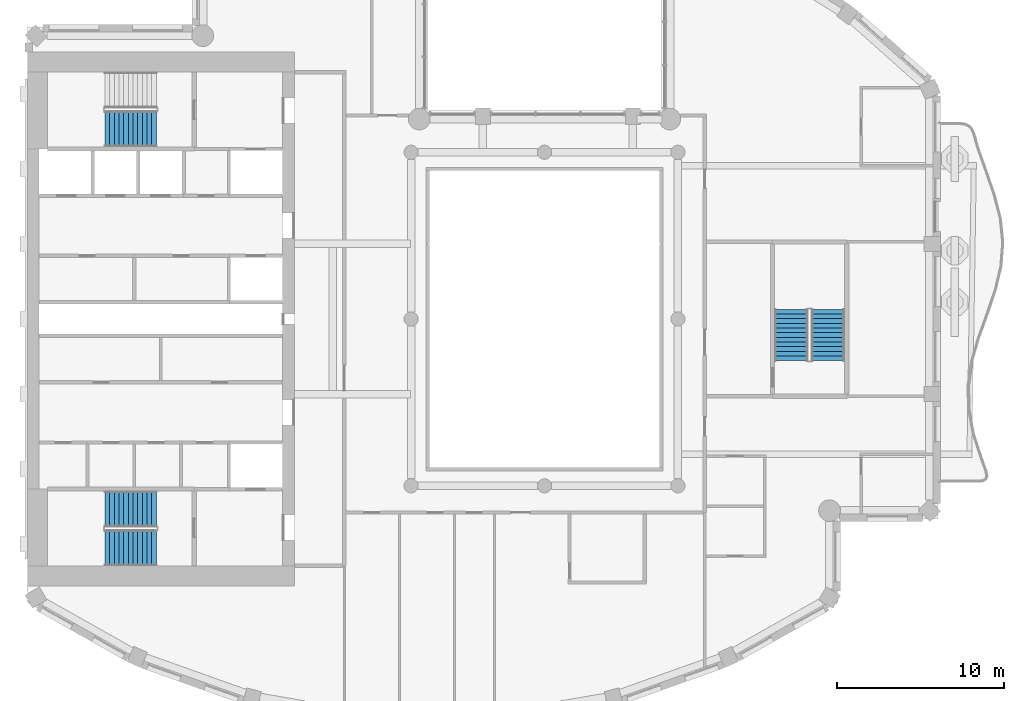
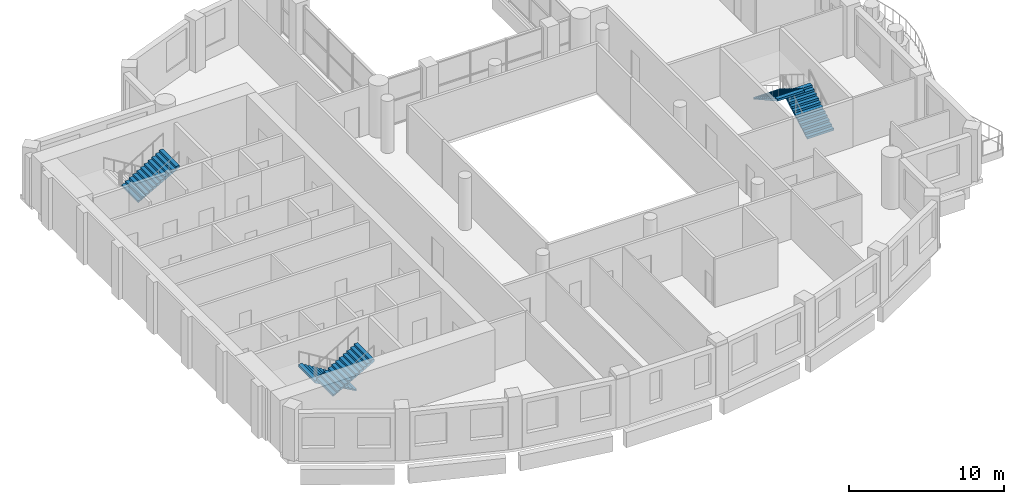
# One storey, part 8 of 14: 5 stair flights, 3 elements without a shape of their own.
"""IFC4 building model written with IfcOpenShell, lengths in metres."""

from ifc_helpers import new_model, si_unit, direction, frame, origin, place, context, subcontext, project, spatial, triangles, material, type_object, element, aggregate, save


model = new_model("IFC4")

# Units and contexts
model_context = context("Model", 3, precision=1e-05, world=origin(), true_north=direction((0.0, 1.0)))
body_context = subcontext(model_context, "Body", "Model", "MODEL_VIEW")
ifc_project = project(units=[si_unit("LENGTHUNIT", "METRE"), si_unit("AREAUNIT", "SQUARE_METRE"), si_unit("VOLUMEUNIT", "CUBIC_METRE"), si_unit("PLANEANGLEUNIT", "RADIAN"), si_unit("MASSUNIT", "GRAM", prefix="KILO")], contexts=[model_context])

# Site, building, storey
site_placement = place(None, origin())
site = spatial("IfcSite", under=ifc_project, at=site_placement, CompositionType="ELEMENT")
building_placement = place(site_placement, origin())
building = spatial("IfcBuilding", under=site, at=building_placement, Name="Cypress Arch Tower", CompositionType="ELEMENT")
storey_placement = place(building_placement, frame((0.0, 0.0, 300.800048828125)))
storey = spatial("IfcBuildingStorey", under=building, at=storey_placement, Name="L68", CompositionType="ELEMENT", Elevation=300.800048828125)

# Stair, stair flights
ifc_material_1 = material(Name="Concrete C40/50", Category="concrete")
stair_type_1 = type_object("IfcStairType", Name="Exit stair ES1708-200", PredefinedType="HALF_TURN_STAIR", material=ifc_material_1)
stair_1_placement = place(storey_placement, origin())
stair_1 = element("IfcStair", 1, at=stair_1_placement, inside=storey, type_object=stair_type_1, Name="L68 Exit stair C", PredefinedType="HALF_TURN_STAIR")
ifc_material_2 = material(Name="Concrete C40/50", Category="concrete")
stair_flight_type_1 = type_object("IfcStairFlightType", Name="Exit stair flight ES1708-200", PredefinedType="STRAIGHT", material=ifc_material_2)
stair_flight_1_placement = place(storey_placement, frame((18.0, -2.5, 0.0), z_axis=(0.0, 0.0, 1.0), x_axis=(0.0, 1.0, 0.0)))
stair_flight_1 = element("IfcStairFlight", 2, at=stair_flight_1_placement, type_object=stair_flight_type_1, Name="C flight 1", NumberOfRisers=12, NumberOfTreads=11, PredefinedType="STRAIGHT", RiserHeight=0.170833333, TreadLength=0.28, context=body_context, shape_type="Tessellation", body=[
    triangles([(0.0, -1.0, 0.0), (0.0, -1.0, 0.1708984375), (0.280029296875, -1.0, 0.1708984375), (0.280029296875, -1.0, 0.341552734375), (0.56005859375, -1.0, 0.341552734375), (0.56005859375, -1.0, 0.512451171875), (0.840087890625, -1.0, 0.512451171875), (0.840087890625, -1.0, 0.683349609375), (1.1201171875, -1.0, 0.683349609375), (1.1201171875, -1.0, 0.854248046875), (1.39990234375, -1.0, 0.854248046875), (1.39990234375, -1.0, 1.02490234375), (1.679931640625, -1.0, 1.02490234375), (1.679931640625, -1.0, 1.19580078125), (1.9599609375, -1.0, 1.19580078125), (1.9599609375, -1.0, 1.36669921875), (2.239990234375, -1.0, 1.36669921875), (2.239990234375, -1.0, 1.53759765625), (2.52001953125, -1.0, 1.53759765625), (2.52001953125, -1.0, 1.708251953125), (2.800048828125, -1.0, 1.708251953125), (2.800048828125, -1.0, 1.879150390625), (3.080078125, -1.0, 1.879150390625), (3.080078125, -1.0, 1.70361328125), (3.080078125, 1.0, 1.70361328125), (3.080078125, 1.0, 1.879150390625), (2.800048828125, 1.0, 1.879150390625), (2.800048828125, 1.0, 1.708251953125), (2.52001953125, 1.0, 1.708251953125), (2.52001953125, 1.0, 1.53759765625), (2.239990234375, 1.0, 1.53759765625), (2.239990234375, 1.0, 1.36669921875), (1.9599609375, 1.0, 1.36669921875), (1.9599609375, 1.0, 1.19580078125), (1.679931640625, 1.0, 1.19580078125), (1.679931640625, 1.0, 1.02490234375), (1.39990234375, 1.0, 1.02490234375), (1.39990234375, 1.0, 0.854248046875), (1.1201171875, 1.0, 0.854248046875), (1.1201171875, 1.0, 0.683349609375), (0.840087890625, 1.0, 0.683349609375), (0.840087890625, 1.0, 0.512451171875), (0.56005859375, 1.0, 0.512451171875), (0.56005859375, 1.0, 0.341552734375), (0.280029296875, 1.0, 0.341552734375), (0.280029296875, 1.0, 0.1708984375), (0.0, 1.0, 0.1708984375), (0.0, 1.0, 0.0), (3.080078125, 0.0, 1.879150390625), (3.080078125, 0.0, 1.70361328125), (2.800048828125, 0.0, 1.879150390625), (2.800048828125, 0.0, 1.708251953125), (2.52001953125, 0.0, 1.708251953125), (2.52001953125, 0.0, 1.53759765625), (2.239990234375, 0.0, 1.53759765625), (2.239990234375, 0.0, 1.36669921875), (1.9599609375, 0.0, 1.36669921875), (1.9599609375, 0.0, 1.19580078125), (1.679931640625, 0.0, 1.19580078125), (1.679931640625, 0.0, 1.02490234375), (1.39990234375, 0.0, 1.02490234375), (1.39990234375, 0.0, 0.854248046875), (1.1201171875, 0.0, 0.854248046875), (1.1201171875, 0.0, 0.683349609375), (0.840087890625, 0.0, 0.683349609375), (0.840087890625, 0.0, 0.512451171875), (0.56005859375, 0.0, 0.512451171875), (0.56005859375, 0.0, 0.341552734375), (0.280029296875, 0.0, 0.341552734375), (0.280029296875, 0.0, 0.1708984375), (0.0, 0.0, 0.1708984375), (0.0, 0.0, 0.0)], [[24, 23, 22], [11, 10, 9], [19, 18, 17], [17, 16, 15], [15, 14, 13], [9, 8, 7], [7, 6, 5], [3, 2, 1], [21, 20, 19], [13, 12, 11], [5, 4, 3], [24, 22, 21], [24, 21, 19], [24, 19, 17], [24, 17, 15], [24, 15, 13], [24, 13, 11], [24, 11, 9], [24, 9, 7], [24, 7, 5], [1, 24, 5], [5, 3, 1], [25, 27, 26], [38, 40, 39], [30, 32, 31], [32, 34, 33], [34, 36, 35], [40, 42, 41], [42, 44, 43], [46, 48, 47], [28, 30, 29], [36, 38, 37], [44, 46, 45], [25, 28, 27], [25, 30, 28], [25, 32, 30], [25, 34, 32], [25, 36, 34], [25, 38, 36], [25, 40, 38], [25, 42, 40], [25, 44, 42], [48, 44, 25], [44, 48, 46], [50, 49, 23], [50, 23, 24], [25, 26, 49], [25, 49, 50], [49, 51, 22], [49, 22, 23], [26, 27, 51], [26, 51, 49], [51, 52, 21], [51, 21, 22], [27, 28, 52], [27, 52, 51], [52, 53, 20], [52, 20, 21], [28, 29, 53], [28, 53, 52], [53, 54, 19], [53, 19, 20], [29, 30, 54], [29, 54, 53], [54, 55, 18], [54, 18, 19], [30, 31, 55], [30, 55, 54], [55, 56, 17], [55, 17, 18], [31, 32, 56], [31, 56, 55], [56, 57, 16], [56, 16, 17], [32, 33, 57], [32, 57, 56], [57, 58, 15], [57, 15, 16], [33, 34, 58], [33, 58, 57], [58, 59, 14], [58, 14, 15], [34, 35, 59], [34, 59, 58], [59, 60, 13], [59, 13, 14], [35, 36, 60], [35, 60, 59], [60, 61, 12], [60, 12, 13], [36, 37, 61], [36, 61, 60], [61, 62, 11], [61, 11, 12], [37, 38, 62], [37, 62, 61], [62, 63, 10], [62, 10, 11], [38, 39, 63], [38, 63, 62], [63, 64, 9], [63, 9, 10], [39, 40, 64], [39, 64, 63], [64, 65, 8], [64, 8, 9], [40, 41, 65], [40, 65, 64], [65, 66, 7], [65, 7, 8], [41, 42, 66], [41, 66, 65], [66, 67, 6], [66, 6, 7], [42, 43, 67], [42, 67, 66], [67, 68, 5], [67, 5, 6], [43, 44, 68], [43, 68, 67], [68, 69, 4], [68, 4, 5], [44, 45, 69], [44, 69, 68], [69, 70, 3], [69, 3, 4], [45, 46, 70], [45, 70, 69], [70, 71, 2], [70, 2, 3], [46, 47, 71], [46, 71, 70], [71, 72, 1], [71, 1, 2], [47, 48, 72], [47, 72, 71], [72, 50, 24], [72, 24, 1], [48, 25, 50], [48, 50, 72]], closed=True),
])
stair_flight_2_placement = place(storey_placement, frame((15.800048828125, 0.580078125, 2.050048828125), z_axis=(0.0, 0.0, 1.0), x_axis=(0.0, -1.0, 0.0)))
stair_flight_2 = element("IfcStairFlight", 3, at=stair_flight_2_placement, type_object=stair_flight_type_1, Name="C flight 2", NumberOfRisers=12, NumberOfTreads=11, PredefinedType="STRAIGHT", RiserHeight=0.170833333, TreadLength=0.28, context=body_context, shape_type="Tessellation", body=[
    triangles([(0.0, -1.0, 0.0), (0.0, -1.0, 0.1708984375), (0.280029296875, -1.0, 0.1708984375), (0.280029296875, -1.0, 0.341552734375), (0.56005859375, -1.0, 0.341552734375), (0.56005859375, -1.0, 0.512451171875), (0.840087890625, -1.0, 0.512451171875), (0.840087890625, -1.0, 0.683349609375), (1.1201171875, -1.0, 0.683349609375), (1.1201171875, -1.0, 0.854248046875), (1.39990234375, -1.0, 0.854248046875), (1.39990234375, -1.0, 1.02490234375), (1.679931640625, -1.0, 1.02490234375), (1.679931640625, -1.0, 1.19580078125), (1.9599609375, -1.0, 1.19580078125), (1.9599609375, -1.0, 1.36669921875), (2.239990234375, -1.0, 1.36669921875), (2.239990234375, -1.0, 1.53759765625), (2.52001953125, -1.0, 1.53759765625), (2.52001953125, -1.0, 1.708251953125), (2.800048828125, -1.0, 1.708251953125), (2.800048828125, -1.0, 1.879150390625), (3.080078125, -1.0, 1.879150390625), (3.080078125, -1.0, 1.70361328125), (3.080078125, 1.0, 1.70361328125), (3.080078125, 1.0, 1.879150390625), (2.800048828125, 1.0, 1.879150390625), (2.800048828125, 1.0, 1.708251953125), (2.52001953125, 1.0, 1.708251953125), (2.52001953125, 1.0, 1.53759765625), (2.239990234375, 1.0, 1.53759765625), (2.239990234375, 1.0, 1.36669921875), (1.9599609375, 1.0, 1.36669921875), (1.9599609375, 1.0, 1.19580078125), (1.679931640625, 1.0, 1.19580078125), (1.679931640625, 1.0, 1.02490234375), (1.39990234375, 1.0, 1.02490234375), (1.39990234375, 1.0, 0.854248046875), (1.1201171875, 1.0, 0.854248046875), (1.1201171875, 1.0, 0.683349609375), (0.840087890625, 1.0, 0.683349609375), (0.840087890625, 1.0, 0.512451171875), (0.56005859375, 1.0, 0.512451171875), (0.56005859375, 1.0, 0.341552734375), (0.280029296875, 1.0, 0.341552734375), (0.280029296875, 1.0, 0.1708984375), (0.0, 1.0, 0.1708984375), (0.0, 1.0, 0.0), (3.080078125, 0.0, 1.879150390625), (3.080078125, 0.0, 1.70361328125), (2.800048828125, 0.0, 1.879150390625), (2.800048828125, 0.0, 1.708251953125), (2.52001953125, 0.0, 1.708251953125), (2.52001953125, 0.0, 1.53759765625), (2.239990234375, 0.0, 1.53759765625), (2.239990234375, 0.0, 1.36669921875), (1.9599609375, 0.0, 1.36669921875), (1.9599609375, 0.0, 1.19580078125), (1.679931640625, 0.0, 1.19580078125), (1.679931640625, 0.0, 1.02490234375), (1.39990234375, 0.0, 1.02490234375), (1.39990234375, 0.0, 0.854248046875), (1.1201171875, 0.0, 0.854248046875), (1.1201171875, 0.0, 0.683349609375), (0.840087890625, 0.0, 0.683349609375), (0.840087890625, 0.0, 0.512451171875), (0.56005859375, 0.0, 0.512451171875), (0.56005859375, 0.0, 0.341552734375), (0.280029296875, 0.0, 0.341552734375), (0.280029296875, 0.0, 0.1708984375), (0.0, 0.0, 0.1708984375), (0.0, 0.0, 0.0)], [[24, 23, 22], [11, 10, 9], [19, 18, 17], [17, 16, 15], [15, 14, 13], [9, 8, 7], [7, 6, 5], [3, 2, 1], [21, 20, 19], [13, 12, 11], [5, 4, 3], [24, 22, 21], [24, 21, 19], [24, 19, 17], [24, 17, 15], [24, 15, 13], [24, 13, 11], [24, 11, 9], [24, 9, 7], [24, 7, 5], [1, 24, 5], [5, 3, 1], [25, 27, 26], [38, 40, 39], [30, 32, 31], [32, 34, 33], [34, 36, 35], [40, 42, 41], [42, 44, 43], [46, 48, 47], [28, 30, 29], [36, 38, 37], [44, 46, 45], [25, 28, 27], [25, 30, 28], [25, 32, 30], [25, 34, 32], [25, 36, 34], [25, 38, 36], [25, 40, 38], [25, 42, 40], [25, 44, 42], [48, 44, 25], [44, 48, 46], [50, 49, 23], [50, 23, 24], [25, 26, 49], [25, 49, 50], [49, 51, 22], [49, 22, 23], [26, 27, 51], [26, 51, 49], [51, 52, 21], [51, 21, 22], [27, 28, 52], [27, 52, 51], [52, 53, 20], [52, 20, 21], [28, 29, 53], [28, 53, 52], [53, 54, 19], [53, 19, 20], [29, 30, 54], [29, 54, 53], [54, 55, 18], [54, 18, 19], [30, 31, 55], [30, 55, 54], [55, 56, 17], [55, 17, 18], [31, 32, 56], [31, 56, 55], [56, 57, 16], [56, 16, 17], [32, 33, 57], [32, 57, 56], [57, 58, 15], [57, 15, 16], [33, 34, 58], [33, 58, 57], [58, 59, 14], [58, 14, 15], [34, 35, 59], [34, 59, 58], [59, 60, 13], [59, 13, 14], [35, 36, 60], [35, 60, 59], [60, 61, 12], [60, 12, 13], [36, 37, 61], [36, 61, 60], [61, 62, 11], [61, 11, 12], [37, 38, 62], [37, 62, 61], [62, 63, 10], [62, 10, 11], [38, 39, 63], [38, 63, 62], [63, 64, 9], [63, 9, 10], [39, 40, 64], [39, 64, 63], [64, 65, 8], [64, 8, 9], [40, 41, 65], [40, 65, 64], [65, 66, 7], [65, 7, 8], [41, 42, 66], [41, 66, 65], [66, 67, 6], [66, 6, 7], [42, 43, 67], [42, 67, 66], [67, 68, 5], [67, 5, 6], [43, 44, 68], [43, 68, 67], [68, 69, 4], [68, 4, 5], [44, 45, 69], [44, 69, 68], [69, 70, 3], [69, 3, 4], [45, 46, 70], [45, 70, 69], [70, 71, 2], [70, 2, 3], [46, 47, 71], [46, 71, 70], [71, 72, 1], [71, 1, 2], [47, 48, 72], [47, 72, 71], [72, 50, 24], [72, 24, 1], [48, 25, 50], [48, 50, 72]], closed=True),
])
aggregate(stair_1, [stair_flight_1, stair_flight_2])

ifc_material_3 = material(Name="Concrete C40/50", Category="concrete")
stair_type_2 = type_object("IfcStairType", Name="Exit stair ES1708-215", PredefinedType="HALF_TURN_STAIR", material=ifc_material_3)
stair_2_placement = place(storey_placement, origin())
stair_2 = element("IfcStair", 4, at=stair_2_placement, inside=storey, type_object=stair_type_2, Name="L68 Exit stair A", PredefinedType="HALF_TURN_STAIR")
ifc_material_4 = material(Name="Concrete C40/50", Category="concrete")
stair_flight_type_2 = type_object("IfcStairFlightType", Name="Exit stair flight ES1708-215", PredefinedType="STRAIGHT", material=ifc_material_4)
stair_flight_3_placement = place(storey_placement, frame((-22.27490234375, -11.39990234375, 0.0), z_axis=(0.0, 0.0, 1.0), x_axis=(-1.0, 0.0, 0.0)))
stair_flight_3 = element("IfcStairFlight", 5, at=stair_flight_3_placement, type_object=stair_flight_type_2, Name="A flight 1", NumberOfRisers=12, NumberOfTreads=11, PredefinedType="STRAIGHT", RiserHeight=0.170833333, TreadLength=0.28, context=body_context, shape_type="Tessellation", body=[
    triangles([(0.0, -1.074951171875, 0.0), (0.000244140625, -1.074951171875, 0.01904296875), (0.000244140625, -1.074951171875, 0.0380859375), (0.00048828125, -1.074951171875, 0.056884765625), (0.00048828125, -1.074951171875, 0.075927734375), (0.00048828125, -1.074951171875, 0.094970703125), (0.00048828125, -1.074951171875, 0.114013671875), (0.000244140625, -1.074951171875, 0.1328125), (0.000244140625, -1.074951171875, 0.15185546875), (0.0, -1.074951171875, 0.1708984375), (0.280029296875, -1.074951171875, 0.1708984375), (0.280029296875, -1.074951171875, 0.341552734375), (0.56005859375, -1.074951171875, 0.341552734375), (0.56005859375, -1.074951171875, 0.512451171875), (0.840087890625, -1.074951171875, 0.512451171875), (0.840087890625, -1.074951171875, 0.683349609375), (1.1201171875, -1.074951171875, 0.683349609375), (1.1201171875, -1.074951171875, 0.854248046875), (1.39990234375, -1.074951171875, 0.854248046875), (1.39990234375, -1.074951171875, 1.02490234375), (1.679931640625, -1.074951171875, 1.02490234375), (1.679931640625, -1.074951171875, 1.19580078125), (1.9599609375, -1.074951171875, 1.19580078125), (1.9599609375, -1.074951171875, 1.36669921875), (2.239990234375, -1.074951171875, 1.36669921875), (2.239990234375, -1.074951171875, 1.53759765625), (2.52001953125, -1.074951171875, 1.53759765625), (2.52001953125, -1.074951171875, 1.708251953125), (2.800048828125, -1.074951171875, 1.708251953125), (2.800048828125, -1.074951171875, 1.879150390625), (3.080078125, -1.074951171875, 1.879150390625), (3.079833984375, -1.074951171875, 1.859619140625), (3.079833984375, -1.074951171875, 1.840087890625), (3.07958984375, -1.074951171875, 1.820556640625), (3.07958984375, -1.074951171875, 1.801025390625), (3.07958984375, -1.074951171875, 1.78173828125), (3.07958984375, -1.074951171875, 1.76220703125), (3.079833984375, -1.074951171875, 1.74267578125), (3.079833984375, -1.074951171875, 1.72314453125), (3.080078125, -1.074951171875, 1.70361328125), (3.080078125, 1.074951171875, 1.70361328125), (3.079833984375, 1.074951171875, 1.72314453125), (3.079833984375, 1.074951171875, 1.74267578125), (3.07958984375, 1.074951171875, 1.76220703125), (3.07958984375, 1.074951171875, 1.78173828125), (3.07958984375, 1.074951171875, 1.801025390625), (3.07958984375, 1.074951171875, 1.820556640625), (3.079833984375, 1.074951171875, 1.840087890625), (3.079833984375, 1.074951171875, 1.859619140625), (3.080078125, 1.074951171875, 1.879150390625), (2.800048828125, 1.074951171875, 1.879150390625), (2.800048828125, 1.074951171875, 1.708251953125), (2.52001953125, 1.074951171875, 1.708251953125), (2.52001953125, 1.074951171875, 1.53759765625), (2.239990234375, 1.074951171875, 1.53759765625), (2.239990234375, 1.074951171875, 1.36669921875), (1.9599609375, 1.074951171875, 1.36669921875), (1.9599609375, 1.074951171875, 1.19580078125), (1.679931640625, 1.074951171875, 1.19580078125), (1.679931640625, 1.074951171875, 1.02490234375), (1.39990234375, 1.074951171875, 1.02490234375), (1.39990234375, 1.074951171875, 0.854248046875), (1.1201171875, 1.074951171875, 0.854248046875), (1.1201171875, 1.074951171875, 0.683349609375), (0.840087890625, 1.074951171875, 0.683349609375), (0.840087890625, 1.074951171875, 0.512451171875), (0.56005859375, 1.074951171875, 0.512451171875), (0.56005859375, 1.074951171875, 0.341552734375), (0.280029296875, 1.074951171875, 0.341552734375), (0.280029296875, 1.074951171875, 0.1708984375), (0.0, 1.074951171875, 0.1708984375), (0.000244140625, 1.074951171875, 0.15185546875), (0.000244140625, 1.074951171875, 0.1328125), (0.00048828125, 1.074951171875, 0.114013671875), (0.00048828125, 1.074951171875, 0.094970703125), (0.00048828125, 1.074951171875, 0.075927734375), (0.00048828125, 1.074951171875, 0.056884765625), (0.000244140625, 1.074951171875, 0.0380859375), (0.000244140625, 1.074951171875, 0.01904296875), (0.0, 1.074951171875, 0.0)], [[40, 39, 30], [39, 38, 30], [38, 37, 30], [37, 36, 30], [36, 35, 30], [35, 34, 30], [34, 33, 30], [33, 32, 30], [32, 31, 30], [19, 18, 17], [27, 26, 25], [25, 24, 23], [23, 22, 21], [17, 16, 15], [15, 14, 13], [10, 9, 11], [9, 8, 11], [8, 7, 11], [7, 6, 11], [6, 5, 11], [5, 4, 11], [4, 3, 11], [3, 2, 11], [2, 1, 11], [29, 28, 27], [21, 20, 19], [13, 12, 11], [40, 30, 29], [40, 29, 27], [40, 27, 25], [40, 25, 23], [40, 23, 21], [40, 21, 19], [40, 19, 17], [40, 17, 15], [40, 15, 13], [1, 40, 13], [13, 11, 1], [41, 51, 42], [42, 51, 43], [43, 51, 44], [44, 51, 45], [45, 51, 46], [46, 51, 47], [47, 51, 48], [48, 51, 49], [49, 51, 50], [62, 64, 63], [54, 56, 55], [56, 58, 57], [58, 60, 59], [64, 66, 65], [66, 68, 67], [71, 70, 72], [72, 70, 73], [73, 70, 74], [74, 70, 75], [75, 70, 76], [76, 70, 77], [77, 70, 78], [78, 70, 79], [79, 70, 80], [52, 54, 53], [60, 62, 61], [68, 70, 69], [41, 52, 51], [41, 54, 52], [41, 56, 54], [41, 58, 56], [41, 60, 58], [41, 62, 60], [41, 64, 62], [41, 66, 64], [41, 68, 66], [80, 68, 41], [68, 80, 70], [41, 42, 39], [41, 39, 40], [42, 43, 38], [42, 38, 39], [43, 44, 37], [43, 37, 38], [44, 45, 36], [44, 36, 37], [45, 46, 35], [45, 35, 36], [46, 47, 34], [46, 34, 35], [47, 48, 33], [47, 33, 34], [48, 49, 32], [48, 32, 33], [49, 50, 31], [49, 31, 32], [50, 51, 30], [50, 30, 31], [51, 52, 29], [51, 29, 30], [52, 53, 28], [52, 28, 29], [53, 54, 27], [53, 27, 28], [54, 55, 26], [54, 26, 27], [55, 56, 25], [55, 25, 26], [56, 57, 24], [56, 24, 25], [57, 58, 23], [57, 23, 24], [58, 59, 22], [58, 22, 23], [59, 60, 21], [59, 21, 22], [60, 61, 20], [60, 20, 21], [61, 62, 19], [61, 19, 20], [62, 63, 18], [62, 18, 19], [63, 64, 17], [63, 17, 18], [64, 65, 16], [64, 16, 17], [65, 66, 15], [65, 15, 16], [66, 67, 14], [66, 14, 15], [67, 68, 13], [67, 13, 14], [68, 69, 12], [68, 12, 13], [69, 70, 11], [69, 11, 12], [70, 71, 10], [70, 10, 11], [71, 72, 9], [71, 9, 10], [72, 73, 8], [72, 8, 9], [73, 74, 7], [73, 7, 8], [74, 75, 6], [74, 6, 7], [75, 76, 5], [75, 5, 6], [76, 77, 4], [76, 4, 5], [77, 78, 3], [77, 3, 4], [78, 79, 2], [78, 2, 3], [79, 80, 1], [79, 1, 2], [80, 41, 40], [80, 40, 1]], closed=True),
])
stair_flight_4_placement = place(storey_placement, frame((-25.35498046875, -13.72509765625, 2.050048828125), z_axis=(0.0, 0.0, 1.0), x_axis=(1.0, 0.0, 0.0)))
stair_flight_4 = element("IfcStairFlight", 6, at=stair_flight_4_placement, type_object=stair_flight_type_2, Name="A flight 2", NumberOfRisers=12, NumberOfTreads=11, PredefinedType="STRAIGHT", RiserHeight=0.170833333, TreadLength=0.28, context=body_context, shape_type="Tessellation", body=[
    triangles([(0.0, -1.074951171875, 0.0), (0.000244140625, -1.074951171875, 0.01904296875), (0.000244140625, -1.074951171875, 0.0380859375), (0.00048828125, -1.074951171875, 0.056884765625), (0.00048828125, -1.074951171875, 0.075927734375), (0.00048828125, -1.074951171875, 0.094970703125), (0.00048828125, -1.074951171875, 0.114013671875), (0.000244140625, -1.074951171875, 0.1328125), (0.000244140625, -1.074951171875, 0.15185546875), (0.0, -1.074951171875, 0.1708984375), (0.280029296875, -1.074951171875, 0.1708984375), (0.280029296875, -1.074951171875, 0.341552734375), (0.56005859375, -1.074951171875, 0.341552734375), (0.56005859375, -1.074951171875, 0.512451171875), (0.840087890625, -1.074951171875, 0.512451171875), (0.840087890625, -1.074951171875, 0.683349609375), (1.1201171875, -1.074951171875, 0.683349609375), (1.1201171875, -1.074951171875, 0.854248046875), (1.39990234375, -1.074951171875, 0.854248046875), (1.39990234375, -1.074951171875, 1.02490234375), (1.679931640625, -1.074951171875, 1.02490234375), (1.679931640625, -1.074951171875, 1.19580078125), (1.9599609375, -1.074951171875, 1.19580078125), (1.9599609375, -1.074951171875, 1.36669921875), (2.239990234375, -1.074951171875, 1.36669921875), (2.239990234375, -1.074951171875, 1.53759765625), (2.52001953125, -1.074951171875, 1.53759765625), (2.52001953125, -1.074951171875, 1.708251953125), (2.800048828125, -1.074951171875, 1.708251953125), (2.800048828125, -1.074951171875, 1.879150390625), (3.080078125, -1.074951171875, 1.879150390625), (3.079833984375, -1.074951171875, 1.859619140625), (3.079833984375, -1.074951171875, 1.840087890625), (3.07958984375, -1.074951171875, 1.820556640625), (3.07958984375, -1.074951171875, 1.801025390625), (3.07958984375, -1.074951171875, 1.78173828125), (3.07958984375, -1.074951171875, 1.76220703125), (3.079833984375, -1.074951171875, 1.74267578125), (3.079833984375, -1.074951171875, 1.72314453125), (3.080078125, -1.074951171875, 1.70361328125), (3.080078125, 1.074951171875, 1.70361328125), (3.079833984375, 1.074951171875, 1.72314453125), (3.079833984375, 1.074951171875, 1.74267578125), (3.07958984375, 1.074951171875, 1.76220703125), (3.07958984375, 1.074951171875, 1.78173828125), (3.07958984375, 1.074951171875, 1.801025390625), (3.07958984375, 1.074951171875, 1.820556640625), (3.079833984375, 1.074951171875, 1.840087890625), (3.079833984375, 1.074951171875, 1.859619140625), (3.080078125, 1.074951171875, 1.879150390625), (2.800048828125, 1.074951171875, 1.879150390625), (2.800048828125, 1.074951171875, 1.708251953125), (2.52001953125, 1.074951171875, 1.708251953125), (2.52001953125, 1.074951171875, 1.53759765625), (2.239990234375, 1.074951171875, 1.53759765625), (2.239990234375, 1.074951171875, 1.36669921875), (1.9599609375, 1.074951171875, 1.36669921875), (1.9599609375, 1.074951171875, 1.19580078125), (1.679931640625, 1.074951171875, 1.19580078125), (1.679931640625, 1.074951171875, 1.02490234375), (1.39990234375, 1.074951171875, 1.02490234375), (1.39990234375, 1.074951171875, 0.854248046875), (1.1201171875, 1.074951171875, 0.854248046875), (1.1201171875, 1.074951171875, 0.683349609375), (0.840087890625, 1.074951171875, 0.683349609375), (0.840087890625, 1.074951171875, 0.512451171875), (0.56005859375, 1.074951171875, 0.512451171875), (0.56005859375, 1.074951171875, 0.341552734375), (0.280029296875, 1.074951171875, 0.341552734375), (0.280029296875, 1.074951171875, 0.1708984375), (0.0, 1.074951171875, 0.1708984375), (0.000244140625, 1.074951171875, 0.15185546875), (0.000244140625, 1.074951171875, 0.1328125), (0.00048828125, 1.074951171875, 0.114013671875), (0.00048828125, 1.074951171875, 0.094970703125), (0.00048828125, 1.074951171875, 0.075927734375), (0.00048828125, 1.074951171875, 0.056884765625), (0.000244140625, 1.074951171875, 0.0380859375), (0.000244140625, 1.074951171875, 0.01904296875), (0.0, 1.074951171875, 0.0)], [[40, 39, 30], [39, 38, 30], [38, 37, 30], [37, 36, 30], [36, 35, 30], [35, 34, 30], [34, 33, 30], [33, 32, 30], [32, 31, 30], [19, 18, 17], [27, 26, 25], [25, 24, 23], [23, 22, 21], [17, 16, 15], [15, 14, 13], [10, 9, 11], [9, 8, 11], [8, 7, 11], [7, 6, 11], [6, 5, 11], [5, 4, 11], [4, 3, 11], [3, 2, 11], [2, 1, 11], [29, 28, 27], [21, 20, 19], [13, 12, 11], [40, 30, 29], [40, 29, 27], [40, 27, 25], [40, 25, 23], [40, 23, 21], [40, 21, 19], [40, 19, 17], [40, 17, 15], [40, 15, 13], [1, 40, 13], [13, 11, 1], [41, 51, 42], [42, 51, 43], [43, 51, 44], [44, 51, 45], [45, 51, 46], [46, 51, 47], [47, 51, 48], [48, 51, 49], [49, 51, 50], [62, 64, 63], [54, 56, 55], [56, 58, 57], [58, 60, 59], [64, 66, 65], [66, 68, 67], [71, 70, 72], [72, 70, 73], [73, 70, 74], [74, 70, 75], [75, 70, 76], [76, 70, 77], [77, 70, 78], [78, 70, 79], [79, 70, 80], [52, 54, 53], [60, 62, 61], [68, 70, 69], [41, 52, 51], [41, 54, 52], [41, 56, 54], [41, 58, 56], [41, 60, 58], [41, 62, 60], [41, 64, 62], [41, 66, 64], [41, 68, 66], [80, 68, 41], [68, 80, 70], [41, 42, 39], [41, 39, 40], [42, 43, 38], [42, 38, 39], [43, 44, 37], [43, 37, 38], [44, 45, 36], [44, 36, 37], [45, 46, 35], [45, 35, 36], [46, 47, 34], [46, 34, 35], [47, 48, 33], [47, 33, 34], [48, 49, 32], [48, 32, 33], [49, 50, 31], [49, 31, 32], [50, 51, 30], [50, 30, 31], [51, 52, 29], [51, 29, 30], [52, 53, 28], [52, 28, 29], [53, 54, 27], [53, 27, 28], [54, 55, 26], [54, 26, 27], [55, 56, 25], [55, 25, 26], [56, 57, 24], [56, 24, 25], [57, 58, 23], [57, 23, 24], [58, 59, 22], [58, 22, 23], [59, 60, 21], [59, 21, 22], [60, 61, 20], [60, 20, 21], [61, 62, 19], [61, 19, 20], [62, 63, 18], [62, 18, 19], [63, 64, 17], [63, 17, 18], [64, 65, 16], [64, 16, 17], [65, 66, 15], [65, 15, 16], [66, 67, 14], [66, 14, 15], [67, 68, 13], [67, 13, 14], [68, 69, 12], [68, 12, 13], [69, 70, 11], [69, 11, 12], [70, 71, 10], [70, 10, 11], [71, 72, 9], [71, 9, 10], [72, 73, 8], [72, 8, 9], [73, 74, 7], [73, 7, 8], [74, 75, 6], [74, 6, 7], [75, 76, 5], [75, 5, 6], [76, 77, 4], [76, 4, 5], [77, 78, 3], [77, 3, 4], [78, 79, 2], [78, 2, 3], [79, 80, 1], [79, 1, 2], [80, 41, 40], [80, 40, 1]], closed=True),
])
aggregate(stair_2, [stair_flight_3, stair_flight_4])

# Stair, stair flight
stair_3_placement = place(storey_placement, origin())
stair_3 = element("IfcStair", 7, at=stair_3_placement, inside=storey, type_object=stair_type_2, Name="L68 Exit stair B", PredefinedType="HALF_TURN_STAIR")
stair_flight_5_placement = place(storey_placement, frame((-25.35498046875, 11.39990234375, 2.050048828125), z_axis=(0.0, 0.0, 1.0), x_axis=(1.0, 0.0, 0.0)))
stair_flight_5 = element("IfcStairFlight", 8, at=stair_flight_5_placement, type_object=stair_flight_type_2, Name="B flight 2", NumberOfRisers=12, NumberOfTreads=11, PredefinedType="STRAIGHT", RiserHeight=0.170833333, TreadLength=0.28, context=body_context, shape_type="Tessellation", body=[
    triangles([(0.0, -1.074951171875, 0.0), (0.000244140625, -1.074951171875, 0.01904296875), (0.000244140625, -1.074951171875, 0.0380859375), (0.00048828125, -1.074951171875, 0.056884765625), (0.00048828125, -1.074951171875, 0.075927734375), (0.00048828125, -1.074951171875, 0.094970703125), (0.00048828125, -1.074951171875, 0.114013671875), (0.000244140625, -1.074951171875, 0.1328125), (0.000244140625, -1.074951171875, 0.15185546875), (0.0, -1.074951171875, 0.1708984375), (0.280029296875, -1.074951171875, 0.1708984375), (0.280029296875, -1.074951171875, 0.341552734375), (0.56005859375, -1.074951171875, 0.341552734375), (0.56005859375, -1.074951171875, 0.512451171875), (0.840087890625, -1.074951171875, 0.512451171875), (0.840087890625, -1.074951171875, 0.683349609375), (1.1201171875, -1.074951171875, 0.683349609375), (1.1201171875, -1.074951171875, 0.854248046875), (1.39990234375, -1.074951171875, 0.854248046875), (1.39990234375, -1.074951171875, 1.02490234375), (1.679931640625, -1.074951171875, 1.02490234375), (1.679931640625, -1.074951171875, 1.19580078125), (1.9599609375, -1.074951171875, 1.19580078125), (1.9599609375, -1.074951171875, 1.36669921875), (2.239990234375, -1.074951171875, 1.36669921875), (2.239990234375, -1.074951171875, 1.53759765625), (2.52001953125, -1.074951171875, 1.53759765625), (2.52001953125, -1.074951171875, 1.708251953125), (2.800048828125, -1.074951171875, 1.708251953125), (2.800048828125, -1.074951171875, 1.879150390625), (3.080078125, -1.074951171875, 1.879150390625), (3.079833984375, -1.074951171875, 1.859619140625), (3.079833984375, -1.074951171875, 1.840087890625), (3.07958984375, -1.074951171875, 1.820556640625), (3.07958984375, -1.074951171875, 1.801025390625), (3.07958984375, -1.074951171875, 1.78173828125), (3.07958984375, -1.074951171875, 1.76220703125), (3.079833984375, -1.074951171875, 1.74267578125), (3.079833984375, -1.074951171875, 1.72314453125), (3.080078125, -1.074951171875, 1.70361328125), (3.080078125, 1.074951171875, 1.70361328125), (3.079833984375, 1.074951171875, 1.72314453125), (3.079833984375, 1.074951171875, 1.74267578125), (3.07958984375, 1.074951171875, 1.76220703125), (3.07958984375, 1.074951171875, 1.78173828125), (3.07958984375, 1.074951171875, 1.801025390625), (3.07958984375, 1.074951171875, 1.820556640625), (3.079833984375, 1.074951171875, 1.840087890625), (3.079833984375, 1.074951171875, 1.859619140625), (3.080078125, 1.074951171875, 1.879150390625), (2.800048828125, 1.074951171875, 1.879150390625), (2.800048828125, 1.074951171875, 1.708251953125), (2.52001953125, 1.074951171875, 1.708251953125), (2.52001953125, 1.074951171875, 1.53759765625), (2.239990234375, 1.074951171875, 1.53759765625), (2.239990234375, 1.074951171875, 1.36669921875), (1.9599609375, 1.074951171875, 1.36669921875), (1.9599609375, 1.074951171875, 1.19580078125), (1.679931640625, 1.074951171875, 1.19580078125), (1.679931640625, 1.074951171875, 1.02490234375), (1.39990234375, 1.074951171875, 1.02490234375), (1.39990234375, 1.074951171875, 0.854248046875), (1.1201171875, 1.074951171875, 0.854248046875), (1.1201171875, 1.074951171875, 0.683349609375), (0.840087890625, 1.074951171875, 0.683349609375), (0.840087890625, 1.074951171875, 0.512451171875), (0.56005859375, 1.074951171875, 0.512451171875), (0.56005859375, 1.074951171875, 0.341552734375), (0.280029296875, 1.074951171875, 0.341552734375), (0.280029296875, 1.074951171875, 0.1708984375), (0.0, 1.074951171875, 0.1708984375), (0.000244140625, 1.074951171875, 0.15185546875), (0.000244140625, 1.074951171875, 0.1328125), (0.00048828125, 1.074951171875, 0.114013671875), (0.00048828125, 1.074951171875, 0.094970703125), (0.00048828125, 1.074951171875, 0.075927734375), (0.00048828125, 1.074951171875, 0.056884765625), (0.000244140625, 1.074951171875, 0.0380859375), (0.000244140625, 1.074951171875, 0.01904296875), (0.0, 1.074951171875, 0.0)], [[40, 39, 30], [39, 38, 30], [38, 37, 30], [37, 36, 30], [36, 35, 30], [35, 34, 30], [34, 33, 30], [33, 32, 30], [32, 31, 30], [19, 18, 17], [27, 26, 25], [25, 24, 23], [23, 22, 21], [17, 16, 15], [15, 14, 13], [10, 9, 11], [9, 8, 11], [8, 7, 11], [7, 6, 11], [6, 5, 11], [5, 4, 11], [4, 3, 11], [3, 2, 11], [2, 1, 11], [29, 28, 27], [21, 20, 19], [13, 12, 11], [40, 30, 29], [40, 29, 27], [40, 27, 25], [40, 25, 23], [40, 23, 21], [40, 21, 19], [40, 19, 17], [40, 17, 15], [40, 15, 13], [1, 40, 13], [13, 11, 1], [41, 51, 42], [42, 51, 43], [43, 51, 44], [44, 51, 45], [45, 51, 46], [46, 51, 47], [47, 51, 48], [48, 51, 49], [49, 51, 50], [62, 64, 63], [54, 56, 55], [56, 58, 57], [58, 60, 59], [64, 66, 65], [66, 68, 67], [71, 70, 72], [72, 70, 73], [73, 70, 74], [74, 70, 75], [75, 70, 76], [76, 70, 77], [77, 70, 78], [78, 70, 79], [79, 70, 80], [52, 54, 53], [60, 62, 61], [68, 70, 69], [41, 52, 51], [41, 54, 52], [41, 56, 54], [41, 58, 56], [41, 60, 58], [41, 62, 60], [41, 64, 62], [41, 66, 64], [41, 68, 66], [80, 68, 41], [68, 80, 70], [41, 42, 39], [41, 39, 40], [42, 43, 38], [42, 38, 39], [43, 44, 37], [43, 37, 38], [44, 45, 36], [44, 36, 37], [45, 46, 35], [45, 35, 36], [46, 47, 34], [46, 34, 35], [47, 48, 33], [47, 33, 34], [48, 49, 32], [48, 32, 33], [49, 50, 31], [49, 31, 32], [50, 51, 30], [50, 30, 31], [51, 52, 29], [51, 29, 30], [52, 53, 28], [52, 28, 29], [53, 54, 27], [53, 27, 28], [54, 55, 26], [54, 26, 27], [55, 56, 25], [55, 25, 26], [56, 57, 24], [56, 24, 25], [57, 58, 23], [57, 23, 24], [58, 59, 22], [58, 22, 23], [59, 60, 21], [59, 21, 22], [60, 61, 20], [60, 20, 21], [61, 62, 19], [61, 19, 20], [62, 63, 18], [62, 18, 19], [63, 64, 17], [63, 17, 18], [64, 65, 16], [64, 16, 17], [65, 66, 15], [65, 15, 16], [66, 67, 14], [66, 14, 15], [67, 68, 13], [67, 13, 14], [68, 69, 12], [68, 12, 13], [69, 70, 11], [69, 11, 12], [70, 71, 10], [70, 10, 11], [71, 72, 9], [71, 9, 10], [72, 73, 8], [72, 8, 9], [73, 74, 7], [73, 7, 8], [74, 75, 6], [74, 6, 7], [75, 76, 5], [75, 5, 6], [76, 77, 4], [76, 4, 5], [77, 78, 3], [77, 3, 4], [78, 79, 2], [78, 2, 3], [79, 80, 1], [79, 1, 2], [80, 41, 40], [80, 40, 1]], closed=True),
])
aggregate(stair_3, [stair_flight_5])

save(model, "model.ifc")
